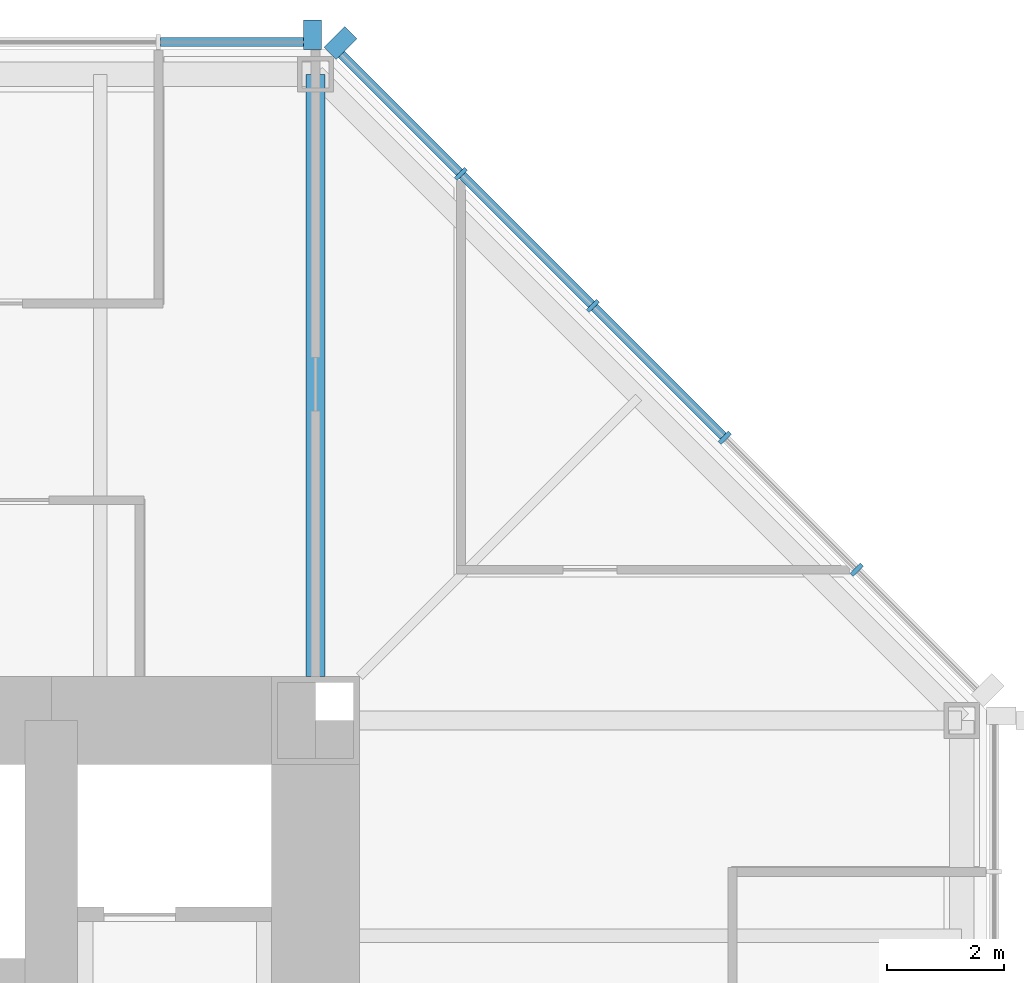
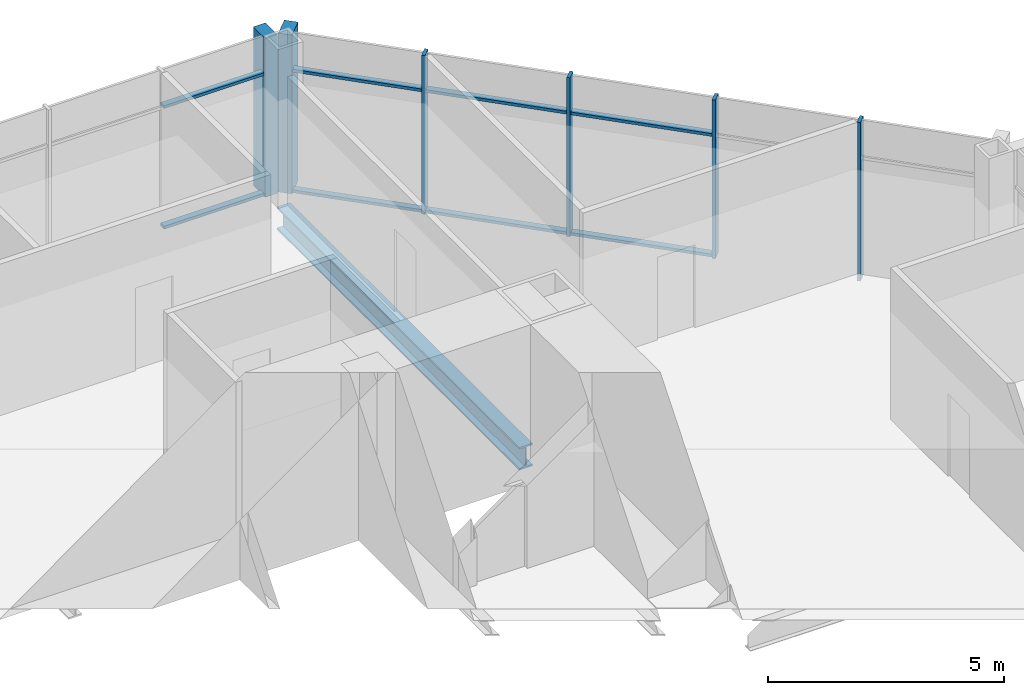
# One storey, part 6 of 12: 14 members, 1 beam, 2 elements without a shape of their own.
"""IFC4 building model written with IfcOpenShell, lengths in metres."""

from ifc_helpers import new_model, si_unit, direction, frame, origin, origin_2d, place, context, subcontext, project, spatial, rectangle, i_section, extrude, material, material_profile, profile_set, type_object, element, aggregate, save


model = new_model("IFC4")

# Units and contexts
model_context = context("Model", 3, precision=1e-05, world=origin(), true_north=direction((0.0, 1.0)))
body_context = subcontext(model_context, "Body", "Model", "MODEL_VIEW")
ifc_project = project(units=[si_unit("LENGTHUNIT", "METRE"), si_unit("AREAUNIT", "SQUARE_METRE"), si_unit("VOLUMEUNIT", "CUBIC_METRE"), si_unit("PLANEANGLEUNIT", "RADIAN"), si_unit("MASSUNIT", "GRAM", prefix="KILO")], contexts=[model_context])

# Site, building, storey
site_placement = place(None, origin())
site = spatial("IfcSite", under=ifc_project, at=site_placement, CompositionType="ELEMENT")
building_placement = place(site_placement, origin())
building = spatial("IfcBuilding", under=site, at=building_placement, Name="Trevanion Tower", CompositionType="ELEMENT")
storey_placement = place(building_placement, frame((0.0, 0.0, 158.199951171875)))
storey = spatial("IfcBuildingStorey", under=building, at=storey_placement, Name="L37", CompositionType="ELEMENT", Elevation=158.199951171875)

# Curtain wall, members
ifc_material_1 = material(Name="Aluminium and glass", Category="aluminium")
curtain_wall_type = type_object("IfcCurtainWallType", Name="CW2 curtain wall", PredefinedType="USERDEFINED", material=ifc_material_1)
curtain_wall_1_placement = place(storey_placement, origin())
curtain_wall_1 = element("IfcCurtainWall", 1, at=curtain_wall_1_placement, inside=storey, type_object=curtain_wall_type, Name="CW2 L37 1", ObjectType="UNITISED CURTAIN WALL", PredefinedType="USERDEFINED")
ifc_material_2 = material(Name="Aluminium extrusion, anodised bronze", Category="aluminium")
ifc_material_profile_1 = material_profile(ifc_material_2, rectangle(XDim=0.074951171875, YDim=0.25, at=origin_2d()), Name="CW2 mullion")
ifc_profile_set_1 = profile_set([ifc_material_profile_1], Name="Aluminium extrusion, anodised bronze")
member_type_1 = type_object("IfcMemberType", Name="CW2 mullion", PredefinedType="MULLION", material=ifc_profile_set_1)
member_1_placement = place(storey_placement, frame((20.2119140625, 13.56591796875, -0.18994140625), z_axis=(0.0, 0.0, 1.0), x_axis=(-0.707106781187, 0.707106781187, 0.0)))
member_1 = element("IfcMember", 2, at=member_1_placement, type_object=member_type_1, Name="CW2 mullion 2", PredefinedType="MULLION", context=body_context, shape_type="SweptSolid", body=[
    extrude(rectangle(XDim=0.074951171875, YDim=0.25, at=origin_2d()), origin(), (0.0, 0.0, 1.0), 4.10009765625),
])
member_2_placement = place(storey_placement, frame((17.966064453125, 15.811767578125, -0.18994140625), z_axis=(0.0, 0.0, 1.0), x_axis=(-0.707106781187, 0.707106781187, 0.0)))
member_2 = element("IfcMember", 3, at=member_2_placement, type_object=member_type_1, Name="CW2 mullion 3", PredefinedType="MULLION", context=body_context, shape_type="SweptSolid", body=[
    extrude(rectangle(XDim=0.074951171875, YDim=0.25, at=origin_2d()), origin(), (0.0, 0.0, 1.0), 4.10009765625),
])
member_3_placement = place(storey_placement, frame((15.719970703125, 18.057861328125, -0.18994140625), z_axis=(0.0, 0.0, 1.0), x_axis=(-0.707106781187, 0.707106781187, 0.0)))
member_3 = element("IfcMember", 4, at=member_3_placement, type_object=member_type_1, Name="CW2 mullion 4", PredefinedType="MULLION", context=body_context, shape_type="SweptSolid", body=[
    extrude(rectangle(XDim=0.074951171875, YDim=0.25, at=origin_2d()), origin(), (0.0, 0.0, 1.0), 4.10009765625),
])
member_4_placement = place(storey_placement, frame((13.473876953125, 20.303955078125, -0.18994140625), z_axis=(0.0, 0.0, 1.0), x_axis=(-0.707106781187, 0.707106781187, 0.0)))
member_4 = element("IfcMember", 5, at=member_4_placement, type_object=member_type_1, Name="CW2 mullion 5", PredefinedType="MULLION", context=body_context, shape_type="SweptSolid", body=[
    extrude(rectangle(XDim=0.074951171875, YDim=0.25, at=origin_2d()), origin(), (0.0, 0.0, 1.0), 4.10009765625),
])
ifc_material_3 = material(Name="Aluminium extrusion, anodised bronze", Category="aluminium")
ifc_material_profile_2 = material_profile(ifc_material_3, rectangle(XDim=0.300048828125, YDim=0.5, at=origin_2d()), Name="CW2 pier mullion")
ifc_profile_set_2 = profile_set([ifc_material_profile_2], Name="Aluminium extrusion, anodised bronze")
member_type_2 = type_object("IfcMemberType", Name="CW2 pier mullion", PredefinedType="MULLION", material=ifc_profile_set_2)
member_5_placement = place(storey_placement, frame((11.42236328125, 22.5322265625, -0.18994140625), z_axis=(0.0, 0.0, 1.0), x_axis=(-0.707106781187, 0.707106781187, 0.0)))
member_5 = element("IfcMember", 6, at=member_5_placement, type_object=member_type_2, Name="CW2 pier mullion 6", PredefinedType="MULLION", context=body_context, shape_type="SweptSolid", body=[
    extrude(rectangle(XDim=0.300048828125, YDim=0.5, at=origin_2d()), origin(), (0.0, 0.0, 1.0), 4.10009765625),
])

# Curtain wall, member
curtain_wall_2_placement = place(storey_placement, origin())
curtain_wall_2 = element("IfcCurtainWall", 7, at=curtain_wall_2_placement, inside=storey, type_object=curtain_wall_type, Name="CW2 L37 2", ObjectType="UNITISED CURTAIN WALL", PredefinedType="USERDEFINED")
member_6_placement = place(storey_placement, frame((10.94775390625, 22.675048828125, -0.18994140625), z_axis=(0.0, 0.0, 1.0), x_axis=(-1.0, 0.0, 0.0)))
member_6 = element("IfcMember", 8, at=member_6_placement, type_object=member_type_2, Name="CW2 pier mullion 1", PredefinedType="MULLION", context=body_context, shape_type="SweptSolid", body=[
    extrude(rectangle(XDim=0.300048828125, YDim=0.5, at=origin_2d()), origin(), (0.0, 0.0, 1.0), 4.10009765625),
])

# Member
ifc_material_4 = material(Name="Aluminium extrusion, anodised bronze", Category="aluminium")
ifc_material_profile_3 = material_profile(ifc_material_4, rectangle(XDim=0.14990234375, YDim=0.074951171875, at=origin_2d()), Name="CW2 transom")
ifc_profile_set_3 = profile_set([ifc_material_profile_3], Name="Aluminium extrusion, anodised bronze")
member_type_3 = type_object("IfcMemberType", Name="CW2 transom", PredefinedType="USERDEFINED", material=ifc_profile_set_3)
member_7_placement = place(storey_placement, frame((17.939453125, 15.83837890625, -0.15234375), z_axis=(-0.707106781187, 0.707106781187, 0.0), x_axis=(-0.707106781187, -0.707106781187, 0.0)))
member_7 = element("IfcMember", 9, at=member_7_placement, type_object=member_type_3, Name="CW2 transom 3.1", ObjectType="TRANSOM", PredefinedType="USERDEFINED", context=body_context, shape_type="SweptSolid", body=[
    extrude(rectangle(XDim=0.14990234375, YDim=0.074951171875, at=origin_2d()), origin(), (0.0, 0.0, 1.0), 3.1015625),
])

member_8_placement = place(storey_placement, frame((17.939453125, 15.83837890625, 2.9599609375), z_axis=(-0.707106781187, 0.707106781187, 0.0), x_axis=(-0.707106781187, -0.707106781187, 0.0)))
member_8 = element("IfcMember", 10, at=member_8_placement, type_object=member_type_3, Name="CW2 transom 3.2", ObjectType="TRANSOM", PredefinedType="USERDEFINED", context=body_context, shape_type="SweptSolid", body=[
    extrude(rectangle(XDim=0.14990234375, YDim=0.074951171875, at=origin_2d()), origin(), (0.0, 0.0, 1.0), 3.1015625),
])

member_9_placement = place(storey_placement, frame((15.693359375, 18.08447265625, -0.15234375), z_axis=(-0.707106781187, 0.707106781187, 0.0), x_axis=(-0.707106781187, -0.707106781187, 0.0)))
member_9 = element("IfcMember", 11, at=member_9_placement, type_object=member_type_3, Name="CW2 transom 4.1", ObjectType="TRANSOM", PredefinedType="USERDEFINED", context=body_context, shape_type="SweptSolid", body=[
    extrude(rectangle(XDim=0.14990234375, YDim=0.074951171875, at=origin_2d()), origin(), (0.0, 0.0, 1.0), 3.10107421875),
])

member_10_placement = place(storey_placement, frame((15.693359375, 18.08447265625, 2.9599609375), z_axis=(-0.707106781187, 0.707106781187, 0.0), x_axis=(-0.707106781187, -0.707106781187, 0.0)))
member_10 = element("IfcMember", 12, at=member_10_placement, type_object=member_type_3, Name="CW2 transom 4.2", ObjectType="TRANSOM", PredefinedType="USERDEFINED", context=body_context, shape_type="SweptSolid", body=[
    extrude(rectangle(XDim=0.14990234375, YDim=0.074951171875, at=origin_2d()), origin(), (0.0, 0.0, 1.0), 3.10107421875),
])

member_11_placement = place(storey_placement, frame((13.447509765625, 20.33056640625, -0.15234375), z_axis=(-0.707149778163, 0.707063781595, 0.0), x_axis=(-0.707063781595, -0.707149778163, 0.0)))
member_11 = element("IfcMember", 13, at=member_11_placement, type_object=member_type_3, Name="CW2 transom 5.1", ObjectType="TRANSOM", PredefinedType="USERDEFINED", context=body_context, shape_type="SweptSolid", body=[
    extrude(rectangle(XDim=0.14990234375, YDim=0.074951171875, at=origin_2d()), origin(), (0.0, 0.0, 1.0), 2.8388671875),
])

member_12_placement = place(storey_placement, frame((13.447509765625, 20.33056640625, 2.9599609375), z_axis=(-0.707149778163, 0.707063781595, 0.0), x_axis=(-0.707063781595, -0.707149778163, 0.0)))
member_12 = element("IfcMember", 14, at=member_12_placement, type_object=member_type_3, Name="CW2 transom 5.2", ObjectType="TRANSOM", PredefinedType="USERDEFINED", context=body_context, shape_type="SweptSolid", body=[
    extrude(rectangle(XDim=0.14990234375, YDim=0.074951171875, at=origin_2d()), origin(), (0.0, 0.0, 1.0), 2.8388671875),
])

aggregate(curtain_wall_1, [member_1, member_2, member_3, member_4, member_5, member_7, member_8, member_9, member_10, member_11, member_12])

member_13_placement = place(storey_placement, frame((10.7978515625, 22.550048828125, -0.15234375), z_axis=(-1.0, 0.0, 0.0), x_axis=(0.0, -1.0, 0.0)))
member_13 = element("IfcMember", 15, at=member_13_placement, type_object=member_type_3, Name="CW2 transom 1.1", ObjectType="TRANSOM", PredefinedType="USERDEFINED", context=body_context, shape_type="SweptSolid", body=[
    extrude(rectangle(XDim=0.14990234375, YDim=0.074951171875, at=origin_2d()), origin(), (0.0, 0.0, 1.0), 2.43701171875),
])

member_14_placement = place(storey_placement, frame((10.7978515625, 22.550048828125, 2.9599609375), z_axis=(-1.0, 0.0, 0.0), x_axis=(0.0, -1.0, 0.0)))
member_14 = element("IfcMember", 16, at=member_14_placement, type_object=member_type_3, Name="CW2 transom 1.2", ObjectType="TRANSOM", PredefinedType="USERDEFINED", context=body_context, shape_type="SweptSolid", body=[
    extrude(rectangle(XDim=0.14990234375, YDim=0.074951171875, at=origin_2d()), origin(), (0.0, 0.0, 1.0), 2.43701171875),
])

aggregate(curtain_wall_2, [member_6, member_13, member_14])

# Beam
ifc_material_5 = material(Name="Steel ASTM A992 Grade 50", Category="steel")
ifc_material_profile_4 = material_profile(ifc_material_5, i_section(OverallWidth=0.320068359375, OverallDepth=0.584228515625, WebThickness=0.023193359375, FlangeThickness=0.04150390625, at=origin_2d()), Name="W21X201")
ifc_profile_set_4 = profile_set([ifc_material_profile_4], Name="Steel ASTM A992 Grade 50")
beam_type = type_object("IfcBeamType", Name="G4 W21X201", PredefinedType="BEAM", material=ifc_profile_set_4)
beam_placement = place(storey_placement, frame((11.0, 11.75, -0.48193359375), z_axis=(0.0, 1.0, 0.0), x_axis=(-1.0, 0.0, 0.0)))
element("IfcBeam", 17, at=beam_placement, inside=storey, type_object=beam_type, Name="G4 L37", PredefinedType="BEAM", context=body_context, shape_type="SweptSolid", body=[
    extrude(i_section(OverallWidth=0.320068359375, OverallDepth=0.584228515625, WebThickness=0.023193359375, FlangeThickness=0.04150390625, at=origin_2d()), origin(), (0.0, 0.0, 1.0), 10.25),
])

save(model, "model.ifc")
